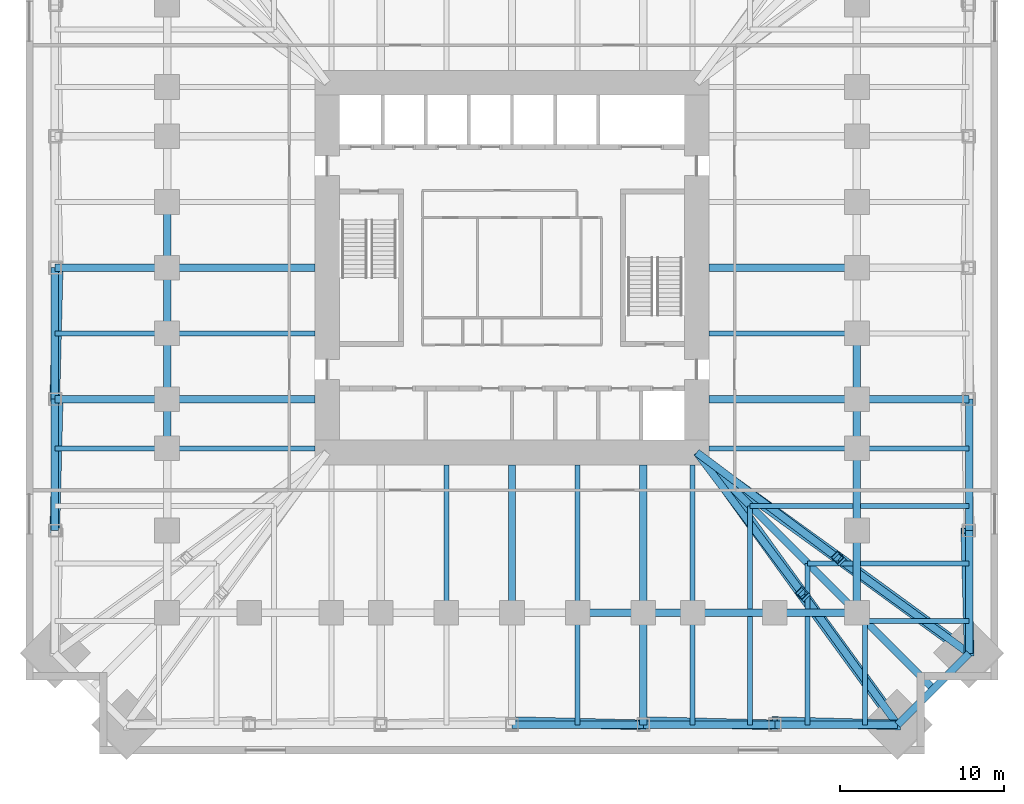
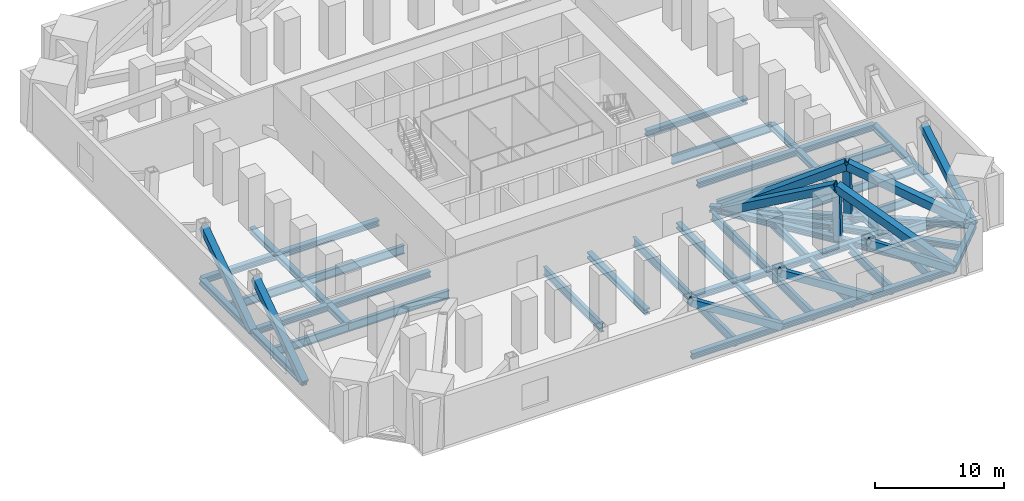
# One storey, part 2 of 9: 47 beams, 23 members.
"""IFC4 building model written with IfcOpenShell, lengths in metres."""

from ifc_helpers import new_model, si_unit, direction, frame, origin, origin_2d, place, context, subcontext, project, spatial, hollow_rectangle, i_section, extrude, material, material_profile, profile_set, type_object, element, save


model = new_model("IFC4")

# Units and contexts
model_context = context("Model", 3, precision=1e-05, world=origin(), true_north=direction((0.0, 1.0)))
body_context = subcontext(model_context, "Body", "Model", "MODEL_VIEW")
ifc_project = project(units=[si_unit("LENGTHUNIT", "METRE"), si_unit("AREAUNIT", "SQUARE_METRE"), si_unit("VOLUMEUNIT", "CUBIC_METRE"), si_unit("PLANEANGLEUNIT", "RADIAN"), si_unit("MASSUNIT", "GRAM", prefix="KILO")], contexts=[model_context])

# Site, building, storey
site_placement = place(None, origin())
site = spatial("IfcSite", under=ifc_project, at=site_placement, CompositionType="ELEMENT")
building_placement = place(site_placement, origin())
building = spatial("IfcBuilding", under=site, at=building_placement, Name="Peilmerk Tower", CompositionType="ELEMENT")
storey_placement = place(building_placement, frame((0.0, 0.0, 76.0)))
storey = spatial("IfcBuildingStorey", under=building, at=storey_placement, Name="L14", CompositionType="ELEMENT", Elevation=76.0)

# Beams
ifc_material = material(Name="Steel S460", Category="steel")
ifc_material_profile_1 = material_profile(ifc_material, i_section(OverallWidth=0.4541015625, OverallDepth=0.569091796875, WebThickness=0.077880859375, FlangeThickness=0.125, at=origin_2d()), Name="HD 400x1086")
ifc_profile_set_1 = profile_set([ifc_material_profile_1], Name="Steel S460")
beam_type_1 = type_object("IfcBeamType", Name="B17 HD 400x1086 edge beam", PredefinedType="SPANDREL", material=ifc_profile_set_1)
beam_1_placement = place(storey_placement, frame((27.832275390625, -23.482177734375, -0.534423828125), z_axis=(-0.707106781187, -0.707106781187, 0.0), x_axis=(0.707106781187, -0.707106781187, 0.0)))
element("IfcBeam", 1, at=beam_1_placement, inside=storey, type_object=beam_type_1, Name="Notch beam L14", PredefinedType="SPANDREL", context=body_context, shape_type="SweptSolid", body=[
    extrude(i_section(OverallWidth=0.4541015625, OverallDepth=0.569091796875, WebThickness=0.077880859375, FlangeThickness=0.125, at=origin_2d()), origin(), (0.0, 0.0, 1.0), 6.15185546875),
])
ifc_material_profile_2 = material_profile(ifc_material, i_section(OverallWidth=0.302978515625, OverallDepth=0.81396484375, WebThickness=0.02099609375, FlangeThickness=0.0400390625, at=origin_2d()), Name="HEM 800")
ifc_profile_set_2 = profile_set([ifc_material_profile_2], Name="Steel S460")
beam_type_2 = type_object("IfcBeamType", Name="B26 HEM 800 floor beam", PredefinedType="BEAM", material=ifc_profile_set_2)
beam_2_placement = place(storey_placement, frame((12.0, -11.0, -0.656982421875), z_axis=(1.0, 0.0, 0.0), x_axis=(0.0, 1.0, 0.0)))
element("IfcBeam", 2, at=beam_2_placement, inside=storey, type_object=beam_type_2, Name="Floor beam L14", PredefinedType="BEAM", context=body_context, shape_type="SweptSolid", body=[
    extrude(i_section(OverallWidth=0.302978515625, OverallDepth=0.81396484375, WebThickness=0.02099609375, FlangeThickness=0.0400390625, at=origin_2d()), origin(), (0.0, 0.0, 1.0), 9.0),
])
beam_3_placement = place(storey_placement, frame((21.0, -11.0, -0.656982421875), z_axis=(1.0, 0.0, 0.0), x_axis=(0.0, 1.0, 0.0)))
element("IfcBeam", 3, at=beam_3_placement, inside=storey, type_object=beam_type_2, Name="Floor beam L14", PredefinedType="BEAM", context=body_context, shape_type="SweptSolid", body=[
    extrude(i_section(OverallWidth=0.302978515625, OverallDepth=0.81396484375, WebThickness=0.02099609375, FlangeThickness=0.0400390625, at=origin_2d()), origin(), (0.0, 0.0, 1.0), 6.832275390625),
])
for number, where, z_axis, x_axis, name in (
    (4, (12.0, -4.0, -0.656982421875), (1.0, 0.0, 0.0), (0.0, 1.0, 0.0), "Floor beam L14"),
    (5, (-4.0, -12.0, -0.656982421875), (0.0, -1.0, 0.0), (1.0, 0.0, 0.0), "Floor beam L14"),
    (6, (4.0, -12.0, -0.656982421875), (0.0, -1.0, 0.0), (1.0, 0.0, 0.0), "Floor beam L14"),
):
    element("IfcBeam", number, at=place(storey_placement, frame(where, z_axis=z_axis, x_axis=x_axis)), inside=storey, type_object=beam_type_2, Name=name, PredefinedType="BEAM", context=body_context, shape_type="SweptSolid", body=[
        extrude(i_section(OverallWidth=0.302978515625, OverallDepth=0.81396484375, WebThickness=0.02099609375, FlangeThickness=0.0400390625, at=origin_2d()), origin(), (0.0, 0.0, 1.0), 9.0),
    ])
beam_4_placement = place(storey_placement, frame((4.0, -21.0, -0.656982421875), z_axis=(0.0, -1.0, 0.0), x_axis=(1.0, 0.0, 0.0)))
element("IfcBeam", 7, at=beam_4_placement, inside=storey, type_object=beam_type_2, Name="Floor beam L14", PredefinedType="BEAM", context=body_context, shape_type="SweptSolid", body=[
    extrude(i_section(OverallWidth=0.302978515625, OverallDepth=0.81396484375, WebThickness=0.02099609375, FlangeThickness=0.0400390625, at=origin_2d()), origin(), (0.0, 0.0, 1.0), 6.832275390625),
])
beam_5_placement = place(storey_placement, frame((11.0, -12.0, -0.656982421875), z_axis=(0.0, -1.0, 0.0), x_axis=(1.0, 0.0, 0.0)))
element("IfcBeam", 8, at=beam_5_placement, inside=storey, type_object=beam_type_2, Name="Floor beam L14", PredefinedType="BEAM", context=body_context, shape_type="SweptSolid", body=[
    extrude(i_section(OverallWidth=0.302978515625, OverallDepth=0.81396484375, WebThickness=0.02099609375, FlangeThickness=0.0400390625, at=origin_2d()), origin(), (0.0, 0.0, 1.0), 9.0),
])
beam_6_placement = place(storey_placement, frame((11.0, -21.0, -0.656982421875), z_axis=(0.0, -1.0, 0.0), x_axis=(1.0, 0.0, 0.0)))
element("IfcBeam", 9, at=beam_6_placement, inside=storey, type_object=beam_type_2, Name="Floor beam L14", PredefinedType="BEAM", context=body_context, shape_type="SweptSolid", body=[
    extrude(i_section(OverallWidth=0.302978515625, OverallDepth=0.81396484375, WebThickness=0.02099609375, FlangeThickness=0.0400390625, at=origin_2d()), origin(), (0.0, 0.0, 1.0), 6.832275390625),
])
beam_7_placement = place(storey_placement, frame((-12.0, -4.0, -0.656982421875), z_axis=(-1.0, 0.0, 0.0), x_axis=(0.0, -1.0, 0.0)))
element("IfcBeam", 10, at=beam_7_placement, inside=storey, type_object=beam_type_2, Name="Floor beam L14", PredefinedType="BEAM", context=body_context, shape_type="SweptSolid", body=[
    extrude(i_section(OverallWidth=0.302978515625, OverallDepth=0.81396484375, WebThickness=0.02099609375, FlangeThickness=0.0400390625, at=origin_2d()), origin(), (0.0, 0.0, 1.0), 9.0),
])
beam_8_placement = place(storey_placement, frame((-21.0, -4.0, -0.656982421875), z_axis=(-1.0, 0.0, 0.0), x_axis=(0.0, -1.0, 0.0)))
element("IfcBeam", 11, at=beam_8_placement, inside=storey, type_object=beam_type_2, Name="Floor beam L14", PredefinedType="BEAM", context=body_context, shape_type="SweptSolid", body=[
    extrude(i_section(OverallWidth=0.302978515625, OverallDepth=0.81396484375, WebThickness=0.02099609375, FlangeThickness=0.0400390625, at=origin_2d()), origin(), (0.0, 0.0, 1.0), 6.832275390625),
])
beam_9_placement = place(storey_placement, frame((-12.0, -11.0, -0.656982421875), z_axis=(-1.0, 0.0, 0.0), x_axis=(0.0, -1.0, 0.0)))
element("IfcBeam", 12, at=beam_9_placement, inside=storey, type_object=beam_type_2, Name="Floor beam L14", PredefinedType="BEAM", context=body_context, shape_type="SweptSolid", body=[
    extrude(i_section(OverallWidth=0.302978515625, OverallDepth=0.81396484375, WebThickness=0.02099609375, FlangeThickness=0.0400390625, at=origin_2d()), origin(), (0.0, 0.0, 1.0), 9.0),
])
beam_10_placement = place(storey_placement, frame((-21.0, -11.0, -0.656982421875), z_axis=(-1.0, 0.0, 0.0), x_axis=(0.0, -1.0, 0.0)))
element("IfcBeam", 13, at=beam_10_placement, inside=storey, type_object=beam_type_2, Name="Floor beam L14", PredefinedType="BEAM", context=body_context, shape_type="SweptSolid", body=[
    extrude(i_section(OverallWidth=0.302978515625, OverallDepth=0.81396484375, WebThickness=0.02099609375, FlangeThickness=0.0400390625, at=origin_2d()), origin(), (0.0, 0.0, 1.0), 6.832275390625),
])
beam_11_placement = place(storey_placement, frame((14.5, -14.5, -0.656982421875), z_axis=(0.0, -1.0, 0.0), x_axis=(1.0, 0.0, 0.0)))
element("IfcBeam", 14, at=beam_11_placement, inside=storey, type_object=beam_type_2, Name="Floor beam L14", PredefinedType="BEAM", context=body_context, shape_type="SweptSolid", body=[
    extrude(i_section(OverallWidth=0.302978515625, OverallDepth=0.81396484375, WebThickness=0.02099609375, FlangeThickness=0.0400390625, at=origin_2d()), origin(), (0.0, 0.0, 1.0), 6.27294921875),
])
beam_12_placement = place(storey_placement, frame((14.5, -21.22705078125, -0.656982421875), z_axis=(0.0, -1.0, 0.0), x_axis=(1.0, 0.0, 0.0)))
element("IfcBeam", 15, at=beam_12_placement, inside=storey, type_object=beam_type_2, Name="Floor beam L14", PredefinedType="BEAM", context=body_context, shape_type="SweptSolid", body=[
    extrude(i_section(OverallWidth=0.302978515625, OverallDepth=0.81396484375, WebThickness=0.02099609375, FlangeThickness=0.0400390625, at=origin_2d()), origin(), (0.0, 0.0, 1.0), 6.605224609375),
])
beam_13_placement = place(storey_placement, frame((14.5, -14.5, -0.656982421875), z_axis=(1.0, 0.0, 0.0), x_axis=(0.0, 1.0, 0.0)))
element("IfcBeam", 16, at=beam_13_placement, inside=storey, type_object=beam_type_2, Name="Floor beam L14", PredefinedType="BEAM", context=body_context, shape_type="SweptSolid", body=[
    extrude(i_section(OverallWidth=0.302978515625, OverallDepth=0.81396484375, WebThickness=0.02099609375, FlangeThickness=0.0400390625, at=origin_2d()), origin(), (0.0, 0.0, 1.0), 6.27294921875),
])
beam_14_placement = place(storey_placement, frame((21.22705078125, -14.5, -0.656982421875), z_axis=(1.0, 0.0, 0.0), x_axis=(0.0, 1.0, 0.0)))
element("IfcBeam", 17, at=beam_14_placement, inside=storey, type_object=beam_type_2, Name="Floor beam L14", PredefinedType="BEAM", context=body_context, shape_type="SweptSolid", body=[
    extrude(i_section(OverallWidth=0.302978515625, OverallDepth=0.81396484375, WebThickness=0.02099609375, FlangeThickness=0.0400390625, at=origin_2d()), origin(), (0.0, 0.0, 1.0), 6.605224609375),
])
beam_15_placement = place(storey_placement, frame((18.0, -18.0, -0.656982421875), z_axis=(0.0, -1.0, 0.0), x_axis=(1.0, 0.0, 0.0)))
element("IfcBeam", 18, at=beam_15_placement, inside=storey, type_object=beam_type_2, Name="Floor beam L14", PredefinedType="BEAM", context=body_context, shape_type="SweptSolid", body=[
    extrude(i_section(OverallWidth=0.302978515625, OverallDepth=0.81396484375, WebThickness=0.02099609375, FlangeThickness=0.0400390625, at=origin_2d()), origin(), (0.0, 0.0, 1.0), 2.77294921875),
])
beam_16_placement = place(storey_placement, frame((18.0, -21.22705078125, -0.656982421875), z_axis=(0.0, -1.0, 0.0), x_axis=(1.0, 0.0, 0.0)))
element("IfcBeam", 19, at=beam_16_placement, inside=storey, type_object=beam_type_2, Name="Floor beam L14", PredefinedType="BEAM", context=body_context, shape_type="SweptSolid", body=[
    extrude(i_section(OverallWidth=0.302978515625, OverallDepth=0.81396484375, WebThickness=0.02099609375, FlangeThickness=0.0400390625, at=origin_2d()), origin(), (0.0, 0.0, 1.0), 6.605224609375),
])
beam_17_placement = place(storey_placement, frame((18.0, -18.0, -0.656982421875), z_axis=(1.0, 0.0, 0.0), x_axis=(0.0, 1.0, 0.0)))
element("IfcBeam", 20, at=beam_17_placement, inside=storey, type_object=beam_type_2, Name="Floor beam L14", PredefinedType="BEAM", context=body_context, shape_type="SweptSolid", body=[
    extrude(i_section(OverallWidth=0.302978515625, OverallDepth=0.81396484375, WebThickness=0.02099609375, FlangeThickness=0.0400390625, at=origin_2d()), origin(), (0.0, 0.0, 1.0), 2.77294921875),
])
beam_18_placement = place(storey_placement, frame((21.22705078125, -18.0, -0.656982421875), z_axis=(1.0, 0.0, 0.0), x_axis=(0.0, 1.0, 0.0)))
element("IfcBeam", 21, at=beam_18_placement, inside=storey, type_object=beam_type_2, Name="Floor beam L14", PredefinedType="BEAM", context=body_context, shape_type="SweptSolid", body=[
    extrude(i_section(OverallWidth=0.302978515625, OverallDepth=0.81396484375, WebThickness=0.02099609375, FlangeThickness=0.0400390625, at=origin_2d()), origin(), (0.0, 0.0, 1.0), 6.605224609375),
])
for number, where, z_axis, x_axis, name in (
    (22, (21.5, -21.5, -0.656982421875), (0.0, -1.0, 0.0), (1.0, 0.0, 0.0), "Floor beam L14"),
    (23, (21.5, -21.5, -0.656982421875), (1.0, 0.0, 0.0), (0.0, 1.0, 0.0), "Floor beam L14"),
):
    element("IfcBeam", number, at=place(storey_placement, frame(where, z_axis=z_axis, x_axis=x_axis)), inside=storey, type_object=beam_type_2, Name=name, PredefinedType="BEAM", context=body_context, shape_type="SweptSolid", body=[
        extrude(i_section(OverallWidth=0.302978515625, OverallDepth=0.81396484375, WebThickness=0.02099609375, FlangeThickness=0.0400390625, at=origin_2d()), origin(), (0.0, 0.0, 1.0), 6.332275390625),
    ])
ifc_material_profile_3 = material_profile(ifc_material, i_section(OverallWidth=0.4541015625, OverallDepth=0.569091796875, WebThickness=0.077880859375, FlangeThickness=0.125, at=origin_2d()), Name="HD 400x1086")
ifc_profile_set_3 = profile_set([ifc_material_profile_3], Name="Steel S460")
beam_type_3 = type_object("IfcBeamType", Name="B9 HD 400x1086 corner girder", PredefinedType="BEAM", material=ifc_profile_set_3)
beam_19_placement = place(storey_placement, frame((12.0, -8.0, -0.534423828125), z_axis=(1.0, 0.0, 0.0), x_axis=(0.0, 1.0, 0.0)))
element("IfcBeam", 24, at=beam_19_placement, inside=storey, type_object=beam_type_3, Name="Floor girder L14", PredefinedType="BEAM", context=body_context, shape_type="SweptSolid", body=[
    extrude(i_section(OverallWidth=0.4541015625, OverallDepth=0.569091796875, WebThickness=0.077880859375, FlangeThickness=0.125, at=origin_2d()), origin(), (0.0, 0.0, 1.0), 9.0),
])
beam_20_placement = place(storey_placement, frame((21.0, -8.0, -0.534423828125), z_axis=(1.0, 0.0, 0.0), x_axis=(0.0, 1.0, 0.0)))
element("IfcBeam", 25, at=beam_20_placement, inside=storey, type_object=beam_type_3, Name="Floor girder L14", PredefinedType="BEAM", context=body_context, shape_type="SweptSolid", body=[
    extrude(i_section(OverallWidth=0.4541015625, OverallDepth=0.569091796875, WebThickness=0.077880859375, FlangeThickness=0.125, at=origin_2d()), origin(), (0.0, 0.0, 1.0), 6.832275390625),
])
beam_21_placement = place(storey_placement, frame((12.0, 0.0, -0.534423828125), z_axis=(1.0, 0.0, 0.0), x_axis=(0.0, 1.0, 0.0)))
element("IfcBeam", 26, at=beam_21_placement, inside=storey, type_object=beam_type_3, Name="Floor girder L14", PredefinedType="BEAM", context=body_context, shape_type="SweptSolid", body=[
    extrude(i_section(OverallWidth=0.4541015625, OverallDepth=0.569091796875, WebThickness=0.077880859375, FlangeThickness=0.125, at=origin_2d()), origin(), (0.0, 0.0, 1.0), 9.0),
])
for number, where, z_axis, x_axis, name in (
    (27, (21.0, -21.0, -0.534423828125), (0.0, 1.0, 0.0), (-1.0, 0.0, 0.0), "Ring girder L14"),
    (28, (21.0, -16.0, -0.534423828125), (0.0, 1.0, 0.0), (-1.0, 0.0, 0.0), "Ring girder L14"),
):
    element("IfcBeam", number, at=place(storey_placement, frame(where, z_axis=z_axis, x_axis=x_axis)), inside=storey, type_object=beam_type_3, Name=name, PredefinedType="BEAM", context=body_context, shape_type="SweptSolid", body=[
        extrude(i_section(OverallWidth=0.4541015625, OverallDepth=0.569091796875, WebThickness=0.077880859375, FlangeThickness=0.125, at=origin_2d()), origin(), (0.0, 0.0, 1.0), 5.0),
    ])
beam_22_placement = place(storey_placement, frame((21.0, -11.0, -0.534423828125), z_axis=(0.0, 1.0, 0.0), x_axis=(-1.0, 0.0, 0.0)))
element("IfcBeam", 29, at=beam_22_placement, inside=storey, type_object=beam_type_3, Name="Ring girder L14", PredefinedType="BEAM", context=body_context, shape_type="SweptSolid", body=[
    extrude(i_section(OverallWidth=0.4541015625, OverallDepth=0.569091796875, WebThickness=0.077880859375, FlangeThickness=0.125, at=origin_2d()), origin(), (0.0, 0.0, 1.0), 3.0),
])
beam_23_placement = place(storey_placement, frame((21.0, -8.0, -0.534423828125), z_axis=(0.0, 1.0, 0.0), x_axis=(-1.0, 0.0, 0.0)))
element("IfcBeam", 30, at=beam_23_placement, inside=storey, type_object=beam_type_3, Name="Ring girder L14", PredefinedType="BEAM", context=body_context, shape_type="SweptSolid", body=[
    extrude(i_section(OverallWidth=0.4541015625, OverallDepth=0.569091796875, WebThickness=0.077880859375, FlangeThickness=0.125, at=origin_2d()), origin(), (0.0, 0.0, 1.0), 4.0),
])
for number, where, z_axis, x_axis, name in (
    (31, (0.0, -12.0, -0.534423828125), (0.0, -1.0, 0.0), (1.0, 0.0, 0.0), "Floor girder L14"),
    (32, (8.0, -12.0, -0.534423828125), (0.0, -1.0, 0.0), (1.0, 0.0, 0.0), "Floor girder L14"),
):
    element("IfcBeam", number, at=place(storey_placement, frame(where, z_axis=z_axis, x_axis=x_axis)), inside=storey, type_object=beam_type_3, Name=name, PredefinedType="BEAM", context=body_context, shape_type="SweptSolid", body=[
        extrude(i_section(OverallWidth=0.4541015625, OverallDepth=0.569091796875, WebThickness=0.077880859375, FlangeThickness=0.125, at=origin_2d()), origin(), (0.0, 0.0, 1.0), 9.0),
    ])
beam_24_placement = place(storey_placement, frame((8.0, -21.0, -0.534423828125), z_axis=(0.0, -1.0, 0.0), x_axis=(1.0, 0.0, 0.0)))
element("IfcBeam", 33, at=beam_24_placement, inside=storey, type_object=beam_type_3, Name="Floor girder L14", PredefinedType="BEAM", context=body_context, shape_type="SweptSolid", body=[
    extrude(i_section(OverallWidth=0.4541015625, OverallDepth=0.569091796875, WebThickness=0.077880859375, FlangeThickness=0.125, at=origin_2d()), origin(), (0.0, 0.0, 1.0), 6.832275390625),
])
beam_25_placement = place(storey_placement, frame((4.0, -21.0, -0.534423828125), z_axis=(1.0, 0.0, 0.0), x_axis=(0.0, 1.0, 0.0)))
element("IfcBeam", 34, at=beam_25_placement, inside=storey, type_object=beam_type_3, Name="Ring girder L14", PredefinedType="BEAM", context=body_context, shape_type="SweptSolid", body=[
    extrude(i_section(OverallWidth=0.4541015625, OverallDepth=0.569091796875, WebThickness=0.077880859375, FlangeThickness=0.125, at=origin_2d()), origin(), (0.0, 0.0, 1.0), 4.0),
])
beam_26_placement = place(storey_placement, frame((8.0, -21.0, -0.534423828125), z_axis=(1.0, 0.0, 0.0), x_axis=(0.0, 1.0, 0.0)))
element("IfcBeam", 35, at=beam_26_placement, inside=storey, type_object=beam_type_3, Name="Ring girder L14", PredefinedType="BEAM", context=body_context, shape_type="SweptSolid", body=[
    extrude(i_section(OverallWidth=0.4541015625, OverallDepth=0.569091796875, WebThickness=0.077880859375, FlangeThickness=0.125, at=origin_2d()), origin(), (0.0, 0.0, 1.0), 3.0),
])
for number, where, z_axis, x_axis, name in (
    (36, (11.0, -21.0, -0.534423828125), (1.0, 0.0, 0.0), (0.0, 1.0, 0.0), "Ring girder L14"),
    (37, (16.0, -21.0, -0.534423828125), (1.0, 0.0, 0.0), (0.0, 1.0, 0.0), "Ring girder L14"),
):
    element("IfcBeam", number, at=place(storey_placement, frame(where, z_axis=z_axis, x_axis=x_axis)), inside=storey, type_object=beam_type_3, Name=name, PredefinedType="BEAM", context=body_context, shape_type="SweptSolid", body=[
        extrude(i_section(OverallWidth=0.4541015625, OverallDepth=0.569091796875, WebThickness=0.077880859375, FlangeThickness=0.125, at=origin_2d()), origin(), (0.0, 0.0, 1.0), 5.0),
    ])
beam_27_placement = place(storey_placement, frame((-12.0, 0.0, -0.534423828125), z_axis=(-1.0, 0.0, 0.0), x_axis=(0.0, -1.0, 0.0)))
element("IfcBeam", 38, at=beam_27_placement, inside=storey, type_object=beam_type_3, Name="Floor girder L14", PredefinedType="BEAM", context=body_context, shape_type="SweptSolid", body=[
    extrude(i_section(OverallWidth=0.4541015625, OverallDepth=0.569091796875, WebThickness=0.077880859375, FlangeThickness=0.125, at=origin_2d()), origin(), (0.0, 0.0, 1.0), 9.0),
])
beam_28_placement = place(storey_placement, frame((-21.0, 0.0, -0.534423828125), z_axis=(-1.0, 0.0, 0.0), x_axis=(0.0, -1.0, 0.0)))
element("IfcBeam", 39, at=beam_28_placement, inside=storey, type_object=beam_type_3, Name="Floor girder L14", PredefinedType="BEAM", context=body_context, shape_type="SweptSolid", body=[
    extrude(i_section(OverallWidth=0.4541015625, OverallDepth=0.569091796875, WebThickness=0.077880859375, FlangeThickness=0.125, at=origin_2d()), origin(), (0.0, 0.0, 1.0), 6.832275390625),
])
beam_29_placement = place(storey_placement, frame((-12.0, -8.0, -0.534423828125), z_axis=(-1.0, 0.0, 0.0), x_axis=(0.0, -1.0, 0.0)))
element("IfcBeam", 40, at=beam_29_placement, inside=storey, type_object=beam_type_3, Name="Floor girder L14", PredefinedType="BEAM", context=body_context, shape_type="SweptSolid", body=[
    extrude(i_section(OverallWidth=0.4541015625, OverallDepth=0.569091796875, WebThickness=0.077880859375, FlangeThickness=0.125, at=origin_2d()), origin(), (0.0, 0.0, 1.0), 9.0),
])
beam_30_placement = place(storey_placement, frame((-21.0, -8.0, -0.534423828125), z_axis=(-1.0, 0.0, 0.0), x_axis=(0.0, -1.0, 0.0)))
element("IfcBeam", 41, at=beam_30_placement, inside=storey, type_object=beam_type_3, Name="Floor girder L14", PredefinedType="BEAM", context=body_context, shape_type="SweptSolid", body=[
    extrude(i_section(OverallWidth=0.4541015625, OverallDepth=0.569091796875, WebThickness=0.077880859375, FlangeThickness=0.125, at=origin_2d()), origin(), (0.0, 0.0, 1.0), 6.832275390625),
])
for number, where, z_axis, x_axis, name in (
    (42, (-21.0, 4.0, -0.534423828125), (0.0, -1.0, 0.0), (1.0, 0.0, 0.0), "Ring girder L14"),
    (43, (-21.0, 0.0, -0.534423828125), (0.0, -1.0, 0.0), (1.0, 0.0, 0.0), "Ring girder L14"),
    (44, (-21.0, -4.0, -0.534423828125), (0.0, -1.0, 0.0), (1.0, 0.0, 0.0), "Ring girder L14"),
):
    element("IfcBeam", number, at=place(storey_placement, frame(where, z_axis=z_axis, x_axis=x_axis)), inside=storey, type_object=beam_type_3, Name=name, PredefinedType="BEAM", context=body_context, shape_type="SweptSolid", body=[
        extrude(i_section(OverallWidth=0.4541015625, OverallDepth=0.569091796875, WebThickness=0.077880859375, FlangeThickness=0.125, at=origin_2d()), origin(), (0.0, 0.0, 1.0), 4.0),
    ])
beam_31_placement = place(storey_placement, frame((-21.0, -8.0, -0.534423828125), z_axis=(0.0, -1.0, 0.0), x_axis=(1.0, 0.0, 0.0)))
element("IfcBeam", 45, at=beam_31_placement, inside=storey, type_object=beam_type_3, Name="Ring girder L14", PredefinedType="BEAM", context=body_context, shape_type="SweptSolid", body=[
    extrude(i_section(OverallWidth=0.4541015625, OverallDepth=0.569091796875, WebThickness=0.077880859375, FlangeThickness=0.125, at=origin_2d()), origin(), (0.0, 0.0, 1.0), 3.0),
])
beam_32_placement = place(storey_placement, frame((11.25, -11.25, -0.534423828125), z_axis=(0.707106781187, -0.707106781187, 0.0), x_axis=(0.707106781187, 0.707106781187, 0.0)))
element("IfcBeam", 46, at=beam_32_placement, inside=storey, type_object=beam_type_3, Name="Corner girder L14", PredefinedType="BEAM", context=body_context, shape_type="SweptSolid", body=[
    extrude(i_section(OverallWidth=0.4541015625, OverallDepth=0.569091796875, WebThickness=0.077880859375, FlangeThickness=0.125, at=origin_2d()), origin(), (0.0, 0.0, 1.0), 13.78857421875),
])
beam_33_placement = place(storey_placement, frame((21.0, -21.0, -0.534423828125), z_axis=(0.707106781187, -0.707106781187, 0.0), x_axis=(0.707106781187, 0.707106781187, 0.0)))
element("IfcBeam", 47, at=beam_33_placement, inside=storey, type_object=beam_type_3, Name="Corner girder L14", PredefinedType="BEAM", context=body_context, shape_type="SweptSolid", body=[
    extrude(i_section(OverallWidth=0.4541015625, OverallDepth=0.569091796875, WebThickness=0.077880859375, FlangeThickness=0.125, at=origin_2d()), origin(), (0.0, 0.0, 1.0), 6.58642578125),
])

# Members
ifc_material_profile_4 = material_profile(ifc_material, i_section(OverallWidth=0.4541015625, OverallDepth=0.569091796875, WebThickness=0.077880859375, FlangeThickness=0.125, at=origin_2d()), Name="HD 400x1086")
ifc_profile_set_4 = profile_set([ifc_material_profile_4], Name="Steel S460")
member_type_1 = type_object("IfcMemberType", Name="M1 HD 400x1086 belt truss chord", PredefinedType="CHORD", material=ifc_profile_set_4)
member_1_placement = place(storey_placement, frame((27.832275390625, -23.482177734375, -0.534423828125), z_axis=(0.0, 1.0, 0.0), x_axis=(-1.0, 0.0, 0.0)))
element("IfcMember", 48, at=member_1_placement, inside=storey, type_object=member_type_1, Name="Belt truss chord L14", PredefinedType="CHORD", context=body_context, shape_type="SweptSolid", body=[
    extrude(i_section(OverallWidth=0.4541015625, OverallDepth=0.569091796875, WebThickness=0.077880859375, FlangeThickness=0.125, at=origin_2d()), origin(), (0.0, 0.0, 1.0), 7.482177734375),
])
for number, where, z_axis, x_axis, name in (
    (49, (27.832275390625, -16.0, -0.534423828125), (0.0, 1.0, 0.0), (-1.0, 0.0, 0.0), "Belt truss chord L14"),
    (50, (0.0, -27.832275390625, -0.534423828125), (1.0, 0.0, 0.0), (0.0, 1.0, 0.0), "Belt truss chord L14"),
    (51, (8.0, -27.832275390625, -0.534423828125), (1.0, 0.0, 0.0), (0.0, 1.0, 0.0), "Belt truss chord L14"),
):
    element("IfcMember", number, at=place(storey_placement, frame(where, z_axis=z_axis, x_axis=x_axis)), inside=storey, type_object=member_type_1, Name=name, PredefinedType="CHORD", context=body_context, shape_type="SweptSolid", body=[
        extrude(i_section(OverallWidth=0.4541015625, OverallDepth=0.569091796875, WebThickness=0.077880859375, FlangeThickness=0.125, at=origin_2d()), origin(), (0.0, 0.0, 1.0), 8.0),
    ])
member_2_placement = place(storey_placement, frame((16.0, -27.832275390625, -0.534423828125), z_axis=(1.0, 0.0, 0.0), x_axis=(0.0, 1.0, 0.0)))
element("IfcMember", 52, at=member_2_placement, inside=storey, type_object=member_type_1, Name="Belt truss chord L14", PredefinedType="CHORD", context=body_context, shape_type="SweptSolid", body=[
    extrude(i_section(OverallWidth=0.4541015625, OverallDepth=0.569091796875, WebThickness=0.077880859375, FlangeThickness=0.125, at=origin_2d()), origin(), (0.0, 0.0, 1.0), 7.482177734375),
])
for number, where, z_axis, x_axis, name in (
    (53, (-27.832275390625, 0.0, -0.534423828125), (0.0, -1.0, 0.0), (1.0, 0.0, 0.0), "Belt truss chord L14"),
    (54, (-27.832275390625, -8.0, -0.534423828125), (0.0, -1.0, 0.0), (1.0, 0.0, 0.0), "Belt truss chord L14"),
):
    element("IfcMember", number, at=place(storey_placement, frame(where, z_axis=z_axis, x_axis=x_axis)), inside=storey, type_object=member_type_1, Name=name, PredefinedType="CHORD", context=body_context, shape_type="SweptSolid", body=[
        extrude(i_section(OverallWidth=0.4541015625, OverallDepth=0.569091796875, WebThickness=0.077880859375, FlangeThickness=0.125, at=origin_2d()), origin(), (0.0, 0.0, 1.0), 8.0),
    ])
member_3_placement = place(storey_placement, frame((11.25, -11.25, -0.534423828125), z_axis=(0.800367834752, -0.599509240207, 0.0), x_axis=(0.599509240207, 0.800367834752, 0.0)))
element("IfcMember", 55, at=member_3_placement, inside=storey, type_object=member_type_1, Name="Outrigger chord T1 SE", PredefinedType="CHORD", context=body_context, shape_type="SweptSolid", body=[
    extrude(i_section(OverallWidth=0.4541015625, OverallDepth=0.569091796875, WebThickness=0.077880859375, FlangeThickness=0.125, at=origin_2d()), origin(), (0.0, 0.0, 1.0), 10.82763671875),
])
member_4_placement = place(storey_placement, frame((19.916015625, -17.7412109375, -0.534423828125), z_axis=(0.809528868431, -0.587080072202, 0.0), x_axis=(0.587080072202, 0.809528868431, 0.0)))
element("IfcMember", 56, at=member_4_placement, inside=storey, type_object=member_type_1, Name="Outrigger chord T1 SE", PredefinedType="CHORD", context=body_context, shape_type="SweptSolid", body=[
    extrude(i_section(OverallWidth=0.4541015625, OverallDepth=0.569091796875, WebThickness=0.077880859375, FlangeThickness=0.125, at=origin_2d()), origin(), (0.0, 0.0, 1.0), 9.77880859375),
])
member_5_placement = place(storey_placement, frame((11.25, -11.25, -0.534423828125), z_axis=(0.599509240207, -0.800367834752, 0.0), x_axis=(0.800367834752, 0.599509240207, 0.0)))
element("IfcMember", 57, at=member_5_placement, inside=storey, type_object=member_type_1, Name="Outrigger chord T1 SE", PredefinedType="CHORD", context=body_context, shape_type="SweptSolid", body=[
    extrude(i_section(OverallWidth=0.4541015625, OverallDepth=0.569091796875, WebThickness=0.077880859375, FlangeThickness=0.125, at=origin_2d()), origin(), (0.0, 0.0, 1.0), 10.82763671875),
])
member_6_placement = place(storey_placement, frame((17.7412109375, -19.916015625, -0.534423828125), z_axis=(0.587080072202, -0.809528868431, 0.0), x_axis=(0.809528868431, 0.587080072202, 0.0)))
element("IfcMember", 58, at=member_6_placement, inside=storey, type_object=member_type_1, Name="Outrigger chord T1 SE", PredefinedType="CHORD", context=body_context, shape_type="SweptSolid", body=[
    extrude(i_section(OverallWidth=0.4541015625, OverallDepth=0.569091796875, WebThickness=0.077880859375, FlangeThickness=0.125, at=origin_2d()), origin(), (0.0, 0.0, 1.0), 9.77880859375),
])
ifc_material_profile_5 = material_profile(ifc_material, hollow_rectangle(XDim=0.60009765625, YDim=0.60009765625, WallThickness=0.06005859375, at=origin_2d()), Name="BOX 600x600x60")
ifc_profile_set_5 = profile_set([ifc_material_profile_5], Name="Steel S460")
member_type_2 = type_object("IfcMemberType", Name="M2 BOX 600x600x60 belt truss diagonal", PredefinedType="BRACE", material=ifc_profile_set_5)
member_7_placement = place(storey_placement, frame((27.832275390625, -23.482177734375, -0.534423828125), z_axis=(-0.02240341358, 0.831231738484, 0.555474467457), x_axis=(-0.999636990799, -0.026942283238, 0.0)))
element("IfcMember", 59, at=member_7_placement, inside=storey, type_object=member_type_2, Name="Belt truss diagonal T1 E", PredefinedType="BRACE", context=body_context, shape_type="SweptSolid", body=[
    extrude(hollow_rectangle(XDim=0.60009765625, YDim=0.60009765625, WallThickness=0.06005859375, at=origin_2d()), origin(), (0.0, 0.0, 1.0), 9.001220703125),
])
for number, where, z_axis, x_axis, name in (
    (60, (8.0, -27.832275390625, -0.534423828125), (-0.847804632209, 0.021371051825, 0.529877895131), (-0.025199514677, -0.999682441808, 0.0), "Belt truss diagonal T1 S"),
    (61, (16.0, -27.832275390625, -0.534423828125), (-0.847804632209, 0.021371051825, 0.529877895131), (-0.025199514677, -0.999682441808, 0.0), "Belt truss diagonal T1 S"),
):
    element("IfcMember", number, at=place(storey_placement, frame(where, z_axis=z_axis, x_axis=x_axis)), inside=storey, type_object=member_type_2, Name=name, PredefinedType="BRACE", context=body_context, shape_type="SweptSolid", body=[
        extrude(hollow_rectangle(XDim=0.60009765625, YDim=0.60009765625, WallThickness=0.06005859375, at=origin_2d()), origin(), (0.0, 0.0, 1.0), 9.43603515625),
    ])
member_8_placement = place(storey_placement, frame((23.482177734375, -27.832275390625, -0.534423828125), z_axis=(-0.831231738484, 0.02240341358, 0.555474467457), x_axis=(-0.026942283238, -0.999636990799, 0.0)))
element("IfcMember", 62, at=member_8_placement, inside=storey, type_object=member_type_2, Name="Belt truss diagonal T1 S", PredefinedType="BRACE", context=body_context, shape_type="SweptSolid", body=[
    extrude(hollow_rectangle(XDim=0.60009765625, YDim=0.60009765625, WallThickness=0.06005859375, at=origin_2d()), origin(), (0.0, 0.0, 1.0), 9.001220703125),
])
for number, where, z_axis, x_axis, name in (
    (63, (-27.832275390625, -8.0, -0.534423828125), (0.021371051825, 0.847804632209, 0.529877895131), (-0.999682441808, 0.025199514677, 0.0), "Belt truss diagonal T1 W"),
    (64, (-27.832275390625, -16.0, -0.534423828125), (0.021371051825, 0.847804632209, 0.529877895131), (-0.999682441808, 0.025199514677, 0.0), "Belt truss diagonal T1 W"),
):
    element("IfcMember", number, at=place(storey_placement, frame(where, z_axis=z_axis, x_axis=x_axis)), inside=storey, type_object=member_type_2, Name=name, PredefinedType="BRACE", context=body_context, shape_type="SweptSolid", body=[
        extrude(hollow_rectangle(XDim=0.60009765625, YDim=0.60009765625, WallThickness=0.06005859375, at=origin_2d()), origin(), (0.0, 0.0, 1.0), 9.43603515625),
    ])
ifc_material_profile_6 = material_profile(ifc_material, hollow_rectangle(XDim=0.60009765625, YDim=0.60009765625, WallThickness=0.06005859375, at=origin_2d()), Name="BOX 600x600x60")
ifc_profile_set_6 = profile_set([ifc_material_profile_6], Name="Steel S460")
member_type_3 = type_object("IfcMemberType", Name="M3 BOX 600x600x60 outrigger post", PredefinedType="POST", material=ifc_profile_set_6)
for number, where, z_axis, x_axis, name in (
    (65, (19.916015625, -17.7412109375, -0.534423828125), (-0.020109031228, 0.020157839556, 0.999594561994), (-0.707963360232, -0.706249163234, 0.0), "Outrigger post T1 SE"),
    (66, (17.7412109375, -19.916015625, -0.534423828125), (-0.020157839556, 0.020109031228, 0.999594561994), (-0.706249163234, -0.707963360232, 0.0), "Outrigger post T1 SE"),
):
    element("IfcMember", number, at=place(storey_placement, frame(where, z_axis=z_axis, x_axis=x_axis)), inside=storey, type_object=member_type_3, Name=name, PredefinedType="POST", context=body_context, shape_type="SweptSolid", body=[
        extrude(hollow_rectangle(XDim=0.60009765625, YDim=0.60009765625, WallThickness=0.06005859375, at=origin_2d()), origin(), (0.0, 0.0, 1.0), 5.001953125),
    ])
ifc_material_profile_7 = material_profile(ifc_material, hollow_rectangle(XDim=0.699951171875, YDim=0.699951171875, WallThickness=0.080078125, at=origin_2d()), Name="BOX 700x700x80")
ifc_profile_set_7 = profile_set([ifc_material_profile_7], Name="Steel S460")
member_type_4 = type_object("IfcMemberType", Name="M4 BOX 700x700x80 outrigger diagonal", PredefinedType="BRACE", material=ifc_profile_set_7)
member_9_placement = place(storey_placement, frame((12.0, -12.0, -0.534423828125), z_axis=(0.719789432424, -0.519470675287, 0.460492552044), x_axis=(0.585211215329, 0.810880899672, 0.0)))
element("IfcMember", 67, at=member_9_placement, inside=storey, type_object=member_type_4, Name="Outrigger diagonal T1", PredefinedType="BRACE", context=body_context, shape_type="SweptSolid", body=[
    extrude(hollow_rectangle(XDim=0.699951171875, YDim=0.699951171875, WallThickness=0.080078125, at=origin_2d()), origin(), (0.0, 0.0, 1.0), 10.85791015625),
])
member_10_placement = place(storey_placement, frame((27.832275390625, -23.482177734375, -0.534423828125), z_axis=(-0.721692629626, 0.52589034448, 0.450110090896), x_axis=(-0.588920720434, -0.808190809799, 0.0)))
element("IfcMember", 68, at=member_10_placement, inside=storey, type_object=member_type_4, Name="Outrigger diagonal T1", PredefinedType="BRACE", context=body_context, shape_type="SweptSolid", body=[
    extrude(hollow_rectangle(XDim=0.699951171875, YDim=0.699951171875, WallThickness=0.080078125, at=origin_2d()), origin(), (0.0, 0.0, 1.0), 11.1083984375),
])
member_11_placement = place(storey_placement, frame((12.0, -12.0, -0.534423828125), z_axis=(0.519470675287, -0.719789432424, 0.460492552044), x_axis=(0.810880899672, 0.585211215329, 0.0)))
element("IfcMember", 69, at=member_11_placement, inside=storey, type_object=member_type_4, Name="Outrigger diagonal T1", PredefinedType="BRACE", context=body_context, shape_type="SweptSolid", body=[
    extrude(hollow_rectangle(XDim=0.699951171875, YDim=0.699951171875, WallThickness=0.080078125, at=origin_2d()), origin(), (0.0, 0.0, 1.0), 10.85791015625),
])
member_12_placement = place(storey_placement, frame((23.482177734375, -27.832275390625, -0.534423828125), z_axis=(-0.52589034448, 0.721692629626, 0.450110090896), x_axis=(-0.808190809799, -0.588920720434, 0.0)))
element("IfcMember", 70, at=member_12_placement, inside=storey, type_object=member_type_4, Name="Outrigger diagonal T1", PredefinedType="BRACE", context=body_context, shape_type="SweptSolid", body=[
    extrude(hollow_rectangle(XDim=0.699951171875, YDim=0.699951171875, WallThickness=0.080078125, at=origin_2d()), origin(), (0.0, 0.0, 1.0), 11.1083984375),
])

save(model, "model.ifc")
